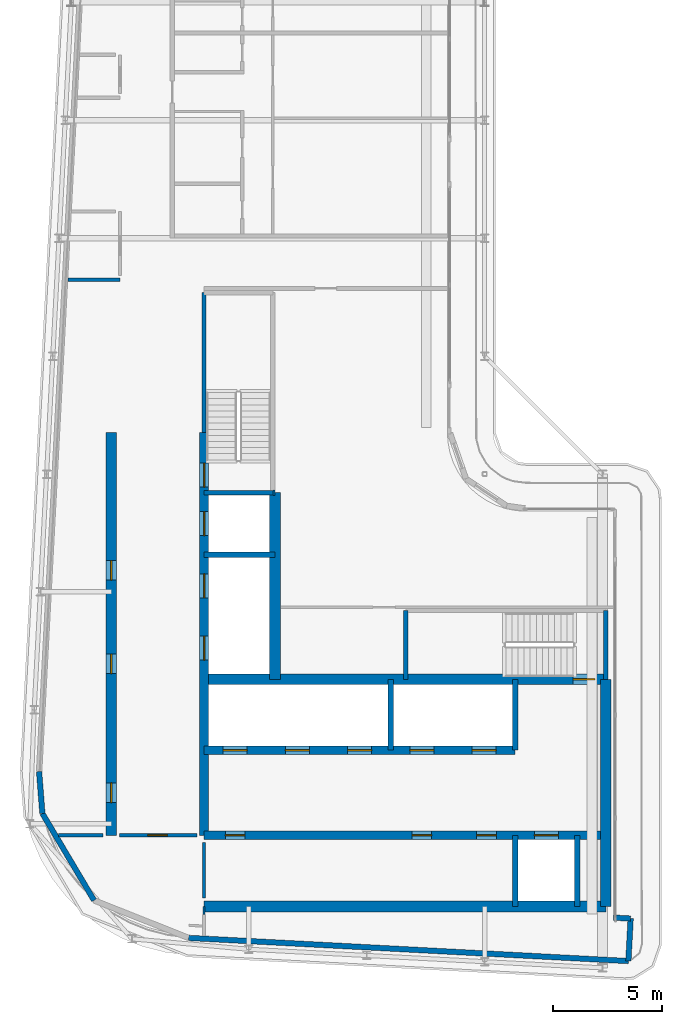
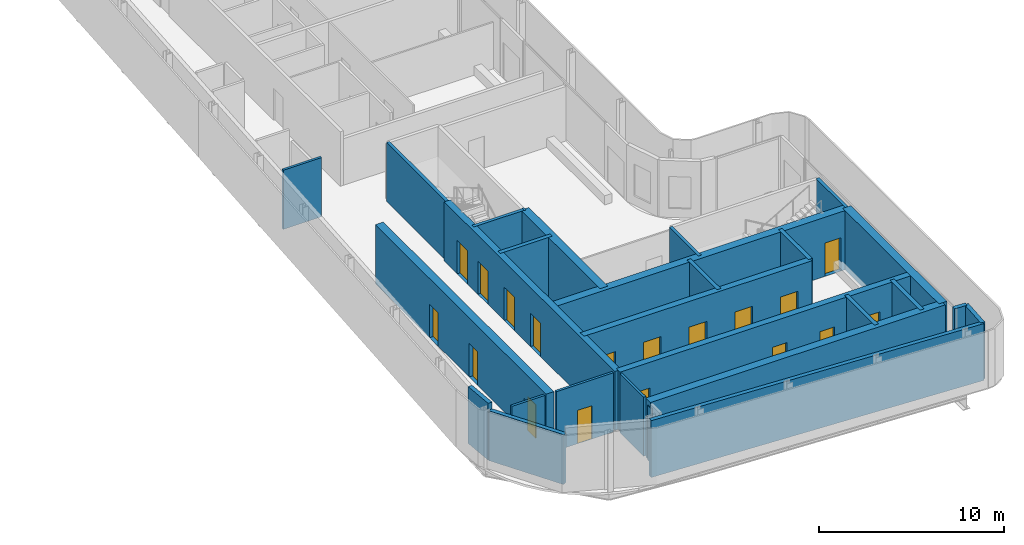
# One storey, part 9 of 19: 28 walls, 18 doors, 18 openings.
"""IFC4 building model written with IfcOpenShell, lengths in metres."""

from ifc_helpers import new_model, si_unit, direction, frame, frame_2d, origin, place, context, subcontext, project, spatial, rectangle, extrude, source, transform, mapped, material, layer, layer_set, type_object, element, fill, save


model = new_model("IFC4")

# Units and contexts
model_context = context("Model", 3, precision=1e-05, world=origin(), true_north=direction((0.0, 1.0)))
body_context = subcontext(model_context, "Body", "Model", "MODEL_VIEW")
ifc_project = project(units=[si_unit("LENGTHUNIT", "METRE"), si_unit("AREAUNIT", "SQUARE_METRE"), si_unit("VOLUMEUNIT", "CUBIC_METRE"), si_unit("PLANEANGLEUNIT", "RADIAN"), si_unit("MASSUNIT", "GRAM", prefix="KILO")], contexts=[model_context])

# Site, building, storey
site_placement = place(None, origin())
site = spatial("IfcSite", under=ifc_project, at=site_placement, CompositionType="ELEMENT")
building_placement = place(site_placement, origin())
building = spatial("IfcBuilding", under=site, at=building_placement, Name="Kheshtan School and Residences Tower", CompositionType="ELEMENT")
storey_placement = place(building_placement, frame((0.0, 0.0, 357.800048828125)))
storey = spatial("IfcBuildingStorey", under=building, at=storey_placement, Name="L84", CompositionType="ELEMENT", Elevation=357.800048828125)

# Wall, openings, doors
ifc_material_1 = material(Name="Concrete C50/60", Category="concrete")
ifc_layer_1 = layer(ifc_material_1, 0.39990234375)
ifc_layer_set_1 = layer_set([ifc_layer_1], Name="Core wall 400 Concrete C50/60")
wall_type_1 = type_object("IfcWallType", Name="Core wall 400 Concrete C50/60", PredefinedType="SHEAR", material=ifc_layer_set_1)
wall_1_placement = place(storey_placement, frame((34.75, 29.050048828125, 0.0), z_axis=(0.0, 0.0, 1.0), x_axis=(1.0, 0.0, 0.0)))
wall_1 = element("IfcWall", 1, at=wall_1_placement, inside=storey, type_object=wall_type_1, Name="Core wall CW-HALL-S1", PredefinedType="SHEAR", context=body_context, shape_type="SweptSolid", body=[
    extrude(rectangle(XDim=18.39990234375, YDim=0.39990234375, at=frame_2d((9.199951171875, 0.0))), origin(), (0.0, 0.0, 1.0), 3.89990234375),
])
opening_1_placement = place(wall_1_placement, frame((15.125, 0.0, 0.0)))
opening_1 = element("IfcOpeningElement", 2, at=opening_1_placement, cuts=wall_1, Name="Opening LD", PredefinedType="OPENING", context=body_context, shape_type="SweptSolid", body=[
    extrude(rectangle(XDim=1.10009765625, YDim=2.199951171875, at=frame_2d((0.550048828125, 1.10009765625))), frame((0.0, 0.2099609375, 0.0), z_axis=(0.0, -1.0, 0.0), x_axis=(1.0, 0.0, 0.0)), (0.0, 0.0, 1.0), 0.419921875),
])
opening_2_placement = place(wall_1_placement, frame((0.97509765625, 0.0, 0.0)))
opening_2 = element("IfcOpeningElement", 3, at=opening_2_placement, cuts=wall_1, Name="Opening SR90", PredefinedType="OPENING", context=body_context, shape_type="SweptSolid", body=[
    extrude(rectangle(XDim=0.89990234375, YDim=2.199951171875, at=frame_2d((0.449951171875, 1.10009765625))), frame((0.0, 0.2099609375, 0.0), z_axis=(0.0, -1.0, 0.0), x_axis=(1.0, 0.0, 0.0)), (0.0, 0.0, 1.0), 0.419921875),
])
opening_3_placement = place(wall_1_placement, frame((9.52490234375, 0.0, 0.0)))
opening_3 = element("IfcOpeningElement", 4, at=opening_3_placement, cuts=wall_1, Name="Opening SR90", PredefinedType="OPENING", context=body_context, shape_type="SweptSolid", body=[
    extrude(rectangle(XDim=0.89990234375, YDim=2.199951171875, at=frame_2d((0.449951171875, 1.10009765625))), frame((0.0, 0.2099609375, 0.0), z_axis=(0.0, -1.0, 0.0), x_axis=(1.0, 0.0, 0.0)), (0.0, 0.0, 1.0), 0.419921875),
])
opening_4_placement = place(wall_1_placement, frame((12.488037109375, 0.0, 0.0)))
opening_4 = element("IfcOpeningElement", 5, at=opening_4_placement, cuts=wall_1, Name="Opening SR90", PredefinedType="OPENING", context=body_context, shape_type="SweptSolid", body=[
    extrude(rectangle(XDim=0.89990234375, YDim=2.199951171875, at=frame_2d((0.449951171875, 1.10009765625))), frame((0.0, 0.2099609375, 0.0), z_axis=(0.0, -1.0, 0.0), x_axis=(1.0, 0.0, 0.0)), (0.0, 0.0, 1.0), 0.419921875),
])
ifc_material_2 = material(Name="Stainless steel door leaves", Category="steel")
door_type_1 = type_object("IfcDoorType", Name="Lift landing door 1100", OperationType="SLIDING_TO_LEFT", PredefinedType="DOOR", material=ifc_material_2)
shared_shape_1 = source(origin(), body_context, "Body", "SweptSolid", [
    extrude(rectangle(XDim=1.10009765625, YDim=2.199951171875, at=frame_2d((0.550048828125, 1.10009765625))), frame((0.0, 0.02490234375, 0.0), z_axis=(0.0, -1.0, 0.0), x_axis=(1.0, 0.0, 0.0)), (0.0, 0.0, 1.0), 0.050048828125),
])
door_1_placement = place(opening_1_placement, origin())
door_1 = element("IfcDoor", 6, at=door_1_placement, inside=storey, type_object=door_type_1, Name="Lift FFL2 landing door", OperationType="SLIDING_TO_LEFT", OverallHeight=2.199951171875, OverallWidth=1.10009765625, PredefinedType="DOOR", context=body_context, shape_type="MappedRepresentation", body=[
    mapped(shared_shape_1, transform((0.0, 0.0, 0.0), x_axis=(1.0, 0.0, 0.0), y_axis=(0.0, 1.0, 0.0), z_axis=(0.0, 0.0, 1.0), scale=1.0)),
])
fill(opening_1, door_1)
ifc_material_3 = material(Name="Steel door leaf, galvanised", Category="steel")
door_type_2 = type_object("IfcDoorType", Name="Service room door 900 steel 90 min", OperationType="SINGLE_SWING_LEFT", PredefinedType="DOOR", material=ifc_material_3)
shared_shape_2 = source(origin(), body_context, "Body", "SweptSolid", [
    extrude(rectangle(XDim=0.89990234375, YDim=2.199951171875, at=frame_2d((0.449951171875, 1.10009765625))), frame((0.0, 0.02490234375, 0.0), z_axis=(0.0, -1.0, 0.0), x_axis=(1.0, 0.0, 0.0)), (0.0, 0.0, 1.0), 0.050048828125),
])
door_2_placement = place(opening_2_placement, origin())
door_2 = element("IfcDoor", 7, at=door_2_placement, inside=storey, type_object=door_type_2, Name="Service room door", OperationType="SINGLE_SWING_LEFT", OverallHeight=2.199951171875, OverallWidth=0.89990234375, PredefinedType="DOOR", context=body_context, shape_type="MappedRepresentation", body=[
    mapped(shared_shape_2, transform((0.0, 0.0, 0.0), x_axis=(1.0, 0.0, 0.0), y_axis=(0.0, 1.0, 0.0), z_axis=(0.0, 0.0, 1.0), scale=1.0)),
])
fill(opening_2, door_2)
door_3_placement = place(opening_3_placement, origin())
door_3 = element("IfcDoor", 8, at=door_3_placement, inside=storey, type_object=door_type_2, Name="Service room door", OperationType="SINGLE_SWING_RIGHT", OverallHeight=2.199951171875, OverallWidth=0.89990234375, PredefinedType="DOOR", context=body_context, shape_type="MappedRepresentation", body=[
    mapped(shared_shape_2, transform((0.0, 0.0, 0.0), x_axis=(1.0, 0.0, 0.0), y_axis=(0.0, 1.0, 0.0), z_axis=(0.0, 0.0, 1.0), scale=1.0)),
])
fill(opening_3, door_3)
door_4_placement = place(opening_4_placement, origin())
door_4 = element("IfcDoor", 9, at=door_4_placement, inside=storey, type_object=door_type_2, Name="Service room door", OperationType="SINGLE_SWING_LEFT", OverallHeight=2.199951171875, OverallWidth=0.89990234375, PredefinedType="DOOR", context=body_context, shape_type="MappedRepresentation", body=[
    mapped(shared_shape_2, transform((0.0, 0.0, 0.0), x_axis=(1.0, 0.0, 0.0), y_axis=(0.0, 1.0, 0.0), z_axis=(0.0, 0.0, 1.0), scale=1.0)),
])
fill(opening_4, door_4)

wall_2_placement = place(storey_placement, frame((34.75, 32.949951171875, 0.0), z_axis=(0.0, 0.0, 1.0), x_axis=(1.0, 0.0, 0.0)))
wall_2 = element("IfcWall", 10, at=wall_2_placement, inside=storey, type_object=wall_type_1, Name="Core wall CW-HALL-S2", PredefinedType="SHEAR", context=body_context, shape_type="SweptSolid", body=[
    extrude(rectangle(XDim=14.25, YDim=0.39990234375, at=frame_2d((7.125, 0.0))), origin(), (0.0, 0.0, 1.0), 3.89990234375),
])
opening_5_placement = place(wall_2_placement, frame((0.875, 0.0, 0.0)))
opening_5 = element("IfcOpeningElement", 11, at=opening_5_placement, cuts=wall_2, Name="Opening LD", PredefinedType="OPENING", context=body_context, shape_type="SweptSolid", body=[
    extrude(rectangle(XDim=1.10009765625, YDim=2.199951171875, at=frame_2d((0.550048828125, 1.10009765625))), frame((0.0, 0.2099609375, 0.0), z_axis=(0.0, -1.0, 0.0), x_axis=(1.0, 0.0, 0.0)), (0.0, 0.0, 1.0), 0.419921875),
])
opening_6_placement = place(wall_2_placement, frame((3.72509765625, 0.0, 0.0)))
opening_6 = element("IfcOpeningElement", 12, at=opening_6_placement, cuts=wall_2, Name="Opening LD", PredefinedType="OPENING", context=body_context, shape_type="SweptSolid", body=[
    extrude(rectangle(XDim=1.10009765625, YDim=2.199951171875, at=frame_2d((0.550048828125, 1.10009765625))), frame((0.0, 0.2099609375, 0.0), z_axis=(0.0, -1.0, 0.0), x_axis=(1.0, 0.0, 0.0)), (0.0, 0.0, 1.0), 0.419921875),
])
opening_7_placement = place(wall_2_placement, frame((6.574951171875, 0.0, 0.0)))
opening_7 = element("IfcOpeningElement", 13, at=opening_7_placement, cuts=wall_2, Name="Opening LD", PredefinedType="OPENING", context=body_context, shape_type="SweptSolid", body=[
    extrude(rectangle(XDim=1.10009765625, YDim=2.199951171875, at=frame_2d((0.550048828125, 1.10009765625))), frame((0.0, 0.2099609375, 0.0), z_axis=(0.0, -1.0, 0.0), x_axis=(1.0, 0.0, 0.0)), (0.0, 0.0, 1.0), 0.419921875),
])
opening_8_placement = place(wall_2_placement, frame((9.425048828125, 0.0, 0.0)))
opening_8 = element("IfcOpeningElement", 14, at=opening_8_placement, cuts=wall_2, Name="Opening LD", PredefinedType="OPENING", context=body_context, shape_type="SweptSolid", body=[
    extrude(rectangle(XDim=1.10009765625, YDim=2.199951171875, at=frame_2d((0.550048828125, 1.10009765625))), frame((0.0, 0.2099609375, 0.0), z_axis=(0.0, -1.0, 0.0), x_axis=(1.0, 0.0, 0.0)), (0.0, 0.0, 1.0), 0.419921875),
])
opening_9_placement = place(wall_2_placement, frame((12.27490234375, 0.0, 0.0)))
opening_9 = element("IfcOpeningElement", 15, at=opening_9_placement, cuts=wall_2, Name="Opening LD", PredefinedType="OPENING", context=body_context, shape_type="SweptSolid", body=[
    extrude(rectangle(XDim=1.10009765625, YDim=2.199951171875, at=frame_2d((0.550048828125, 1.10009765625))), frame((0.0, 0.2099609375, 0.0), z_axis=(0.0, -1.0, 0.0), x_axis=(1.0, 0.0, 0.0)), (0.0, 0.0, 1.0), 0.419921875),
])
door_5_placement = place(opening_5_placement, origin())
door_5 = element("IfcDoor", 16, at=door_5_placement, inside=storey, type_object=door_type_1, Name="Lift P12 landing door", OperationType="SLIDING_TO_LEFT", OverallHeight=2.199951171875, OverallWidth=1.10009765625, PredefinedType="DOOR", context=body_context, shape_type="MappedRepresentation", body=[
    mapped(shared_shape_1, transform((0.0, 0.0, 0.0), x_axis=(1.0, 0.0, 0.0), y_axis=(0.0, 1.0, 0.0), z_axis=(0.0, 0.0, 1.0), scale=1.0)),
])
fill(opening_5, door_5)
door_6_placement = place(opening_6_placement, origin())
door_6 = element("IfcDoor", 17, at=door_6_placement, inside=storey, type_object=door_type_1, Name="Lift P13 landing door", OperationType="SLIDING_TO_LEFT", OverallHeight=2.199951171875, OverallWidth=1.10009765625, PredefinedType="DOOR", context=body_context, shape_type="MappedRepresentation", body=[
    mapped(shared_shape_1, transform((0.0, 0.0, 0.0), x_axis=(1.0, 0.0, 0.0), y_axis=(0.0, 1.0, 0.0), z_axis=(0.0, 0.0, 1.0), scale=1.0)),
])
fill(opening_6, door_6)
door_7_placement = place(opening_7_placement, origin())
door_7 = element("IfcDoor", 18, at=door_7_placement, inside=storey, type_object=door_type_1, Name="Lift P14 landing door", OperationType="SLIDING_TO_LEFT", OverallHeight=2.199951171875, OverallWidth=1.10009765625, PredefinedType="DOOR", context=body_context, shape_type="MappedRepresentation", body=[
    mapped(shared_shape_1, transform((0.0, 0.0, 0.0), x_axis=(1.0, 0.0, 0.0), y_axis=(0.0, 1.0, 0.0), z_axis=(0.0, 0.0, 1.0), scale=1.0)),
])
fill(opening_7, door_7)
door_8_placement = place(opening_8_placement, origin())
door_8 = element("IfcDoor", 19, at=door_8_placement, inside=storey, type_object=door_type_1, Name="Lift P15 landing door", OperationType="SLIDING_TO_LEFT", OverallHeight=2.199951171875, OverallWidth=1.10009765625, PredefinedType="DOOR", context=body_context, shape_type="MappedRepresentation", body=[
    mapped(shared_shape_1, transform((0.0, 0.0, 0.0), x_axis=(1.0, 0.0, 0.0), y_axis=(0.0, 1.0, 0.0), z_axis=(0.0, 0.0, 1.0), scale=1.0)),
])
fill(opening_8, door_8)
door_9_placement = place(opening_9_placement, origin())
door_9 = element("IfcDoor", 20, at=door_9_placement, inside=storey, type_object=door_type_1, Name="Lift P16 landing door", OperationType="SLIDING_TO_LEFT", OverallHeight=2.199951171875, OverallWidth=1.10009765625, PredefinedType="DOOR", context=body_context, shape_type="MappedRepresentation", body=[
    mapped(shared_shape_1, transform((0.0, 0.0, 0.0), x_axis=(1.0, 0.0, 0.0), y_axis=(0.0, 1.0, 0.0), z_axis=(0.0, 0.0, 1.0), scale=1.0)),
])
fill(opening_9, door_9)

wall_3_placement = place(storey_placement, frame((34.75, 29.050048828125, 0.0), z_axis=(0.0, 0.0, 1.0), x_axis=(0.0, 1.0, 0.0)))
wall_3 = element("IfcWall", 21, at=wall_3_placement, inside=storey, type_object=wall_type_1, Name="Core wall CW-HALL-W1", PredefinedType="SHEAR", context=body_context, shape_type="SweptSolid", body=[
    extrude(rectangle(XDim=18.449951171875, YDim=0.39990234375, at=frame_2d((9.22509765625, 0.0))), origin(), (0.0, 0.0, 1.0), 3.89990234375),
])
opening_10_placement = place(wall_3_placement, frame((8.02490234375, 0.0, 0.0)))
opening_10 = element("IfcOpeningElement", 22, at=opening_10_placement, cuts=wall_3, Name="Opening LD", PredefinedType="OPENING", context=body_context, shape_type="SweptSolid", body=[
    extrude(rectangle(XDim=1.10009765625, YDim=2.199951171875, at=frame_2d((0.550048828125, 1.10009765625))), frame((0.0, 0.2099609375, 0.0), z_axis=(0.0, -1.0, 0.0), x_axis=(1.0, 0.0, 0.0)), (0.0, 0.0, 1.0), 0.419921875),
])
opening_11_placement = place(wall_3_placement, frame((10.875, 0.0, 0.0)))
opening_11 = element("IfcOpeningElement", 23, at=opening_11_placement, cuts=wall_3, Name="Opening LD", PredefinedType="OPENING", context=body_context, shape_type="SweptSolid", body=[
    extrude(rectangle(XDim=1.10009765625, YDim=2.199951171875, at=frame_2d((0.550048828125, 1.10009765625))), frame((0.0, 0.2099609375, 0.0), z_axis=(0.0, -1.0, 0.0), x_axis=(1.0, 0.0, 0.0)), (0.0, 0.0, 1.0), 0.419921875),
])
opening_12_placement = place(wall_3_placement, frame((13.72509765625, 0.0, 0.0)))
opening_12 = element("IfcOpeningElement", 24, at=opening_12_placement, cuts=wall_3, Name="Opening LD", PredefinedType="OPENING", context=body_context, shape_type="SweptSolid", body=[
    extrude(rectangle(XDim=1.10009765625, YDim=2.199951171875, at=frame_2d((0.550048828125, 1.10009765625))), frame((0.0, 0.2099609375, 0.0), z_axis=(0.0, -1.0, 0.0), x_axis=(1.0, 0.0, 0.0)), (0.0, 0.0, 1.0), 0.419921875),
])
opening_13_placement = place(wall_3_placement, frame((15.949951171875, 0.0, 0.0)))
opening_13 = element("IfcOpeningElement", 25, at=opening_13_placement, cuts=wall_3, Name="Opening ST2D", PredefinedType="OPENING", context=body_context, shape_type="SweptSolid", body=[
    extrude(rectangle(XDim=1.10009765625, YDim=2.199951171875, at=frame_2d((0.550048828125, 1.10009765625))), frame((0.0, 0.2099609375, 0.0), z_axis=(0.0, -1.0, 0.0), x_axis=(1.0, 0.0, 0.0)), (0.0, 0.0, 1.0), 0.419921875),
])
door_10_placement = place(opening_10_placement, origin())
door_10 = element("IfcDoor", 26, at=door_10_placement, inside=storey, type_object=door_type_1, Name="Lift SV1 landing door", OperationType="SLIDING_TO_LEFT", OverallHeight=2.199951171875, OverallWidth=1.10009765625, PredefinedType="DOOR", context=body_context, shape_type="MappedRepresentation", body=[
    mapped(shared_shape_1, transform((0.0, 0.0, 0.0), x_axis=(1.0, 0.0, 0.0), y_axis=(0.0, 1.0, 0.0), z_axis=(0.0, 0.0, 1.0), scale=1.0)),
])
fill(opening_10, door_10)
door_11_placement = place(opening_11_placement, origin())
door_11 = element("IfcDoor", 27, at=door_11_placement, inside=storey, type_object=door_type_1, Name="Lift SV2 landing door", OperationType="SLIDING_TO_LEFT", OverallHeight=2.199951171875, OverallWidth=1.10009765625, PredefinedType="DOOR", context=body_context, shape_type="MappedRepresentation", body=[
    mapped(shared_shape_1, transform((0.0, 0.0, 0.0), x_axis=(1.0, 0.0, 0.0), y_axis=(0.0, 1.0, 0.0), z_axis=(0.0, 0.0, 1.0), scale=1.0)),
])
fill(opening_11, door_11)
door_12_placement = place(opening_12_placement, origin())
door_12 = element("IfcDoor", 28, at=door_12_placement, inside=storey, type_object=door_type_1, Name="Lift FFL1 landing door", OperationType="SLIDING_TO_LEFT", OverallHeight=2.199951171875, OverallWidth=1.10009765625, PredefinedType="DOOR", context=body_context, shape_type="MappedRepresentation", body=[
    mapped(shared_shape_1, transform((0.0, 0.0, 0.0), x_axis=(1.0, 0.0, 0.0), y_axis=(0.0, 1.0, 0.0), z_axis=(0.0, 0.0, 1.0), scale=1.0)),
])
fill(opening_12, door_12)
door_type_3 = type_object("IfcDoorType", Name="Stair door 1100 steel 90 min", OperationType="SINGLE_SWING_LEFT", PredefinedType="DOOR", material=ifc_material_3)
shared_shape_3 = source(origin(), body_context, "Body", "SweptSolid", [
    extrude(rectangle(XDim=1.10009765625, YDim=2.199951171875, at=frame_2d((0.550048828125, 1.10009765625))), frame((0.0, 0.02490234375, 0.0), z_axis=(0.0, -1.0, 0.0), x_axis=(1.0, 0.0, 0.0)), (0.0, 0.0, 1.0), 0.050048828125),
])
door_13_placement = place(opening_13_placement, origin())
door_13 = element("IfcDoor", 29, at=door_13_placement, inside=storey, type_object=door_type_3, Name="Stair ST2 door", OperationType="SINGLE_SWING_RIGHT", OverallHeight=2.199951171875, OverallWidth=1.10009765625, PredefinedType="DOOR", context=body_context, shape_type="MappedRepresentation", body=[
    mapped(shared_shape_3, transform((0.0, 0.0, 0.0), x_axis=(1.0, 0.0, 0.0), y_axis=(0.0, 1.0, 0.0), z_axis=(0.0, 0.0, 1.0), scale=1.0)),
])
fill(opening_13, door_13)

# Wall
ifc_layer_2 = layer(ifc_material_1, 0.5)
ifc_layer_set_2 = layer_set([ifc_layer_2], Name="Core wall 500 Concrete C50/60")
wall_type_2 = type_object("IfcWallType", Name="Core wall 500 Concrete C50/60", PredefinedType="SHEAR", material=ifc_layer_set_2)
wall_4_placement = place(storey_placement, frame((34.75, 25.800048828125, 0.0), z_axis=(0.0, 0.0, 1.0), x_axis=(1.0, 0.0, 0.0)))
element("IfcWall", 30, at=wall_4_placement, inside=storey, type_object=wall_type_2, Name="Core wall CW-REAR-S", PredefinedType="SHEAR", context=body_context, shape_type="SweptSolid", body=[
    extrude(rectangle(XDim=18.39990234375, YDim=0.5, at=frame_2d((9.199951171875, 0.0))), origin(), (0.0, 0.0, 1.0), 3.89990234375),
])

# Wall, opening, door
wall_5_placement = place(storey_placement, frame((34.75, 36.199951171875, 0.0), z_axis=(0.0, 0.0, 1.0), x_axis=(1.0, 0.0, 0.0)))
wall_5 = element("IfcWall", 31, at=wall_5_placement, inside=storey, type_object=wall_type_2, Name="Core wall CW-FRONT-S", PredefinedType="SHEAR", context=body_context, shape_type="SweptSolid", body=[
    extrude(rectangle(XDim=18.39990234375, YDim=0.5, at=frame_2d((9.199951171875, 0.0))), origin(), (0.0, 0.0, 1.0), 3.89990234375),
])
opening_14_placement = place(wall_5_placement, frame((16.89990234375, 0.0, 0.0)))
opening_14 = element("IfcOpeningElement", 32, at=opening_14_placement, cuts=wall_5, Name="Opening ST1D", PredefinedType="OPENING", context=body_context, shape_type="SweptSolid", body=[
    extrude(rectangle(XDim=1.0, YDim=2.199951171875, at=frame_2d((0.5, 1.10009765625))), frame((0.0, 0.260009765625, 0.0), z_axis=(0.0, -1.0, 0.0), x_axis=(1.0, 0.0, 0.0)), (0.0, 0.0, 1.0), 0.52001953125),
])
shared_shape_4 = source(origin(), body_context, "Body", "SweptSolid", [
    extrude(rectangle(XDim=1.0, YDim=2.199951171875, at=frame_2d((0.5, 1.10009765625))), frame((0.0, 0.02490234375, 0.0), z_axis=(0.0, -1.0, 0.0), x_axis=(1.0, 0.0, 0.0)), (0.0, 0.0, 1.0), 0.050048828125),
])
door_14_placement = place(opening_14_placement, origin())
door_14 = element("IfcDoor", 33, at=door_14_placement, inside=storey, type_object=door_type_3, Name="Stair ST1 door", OperationType="SINGLE_SWING_RIGHT", OverallHeight=2.199951171875, OverallWidth=1.0, PredefinedType="DOOR", context=body_context, shape_type="MappedRepresentation", body=[
    mapped(shared_shape_4, transform((0.0, 0.0, 0.0), x_axis=(1.0, 0.0, 0.0), y_axis=(0.0, 1.0, 0.0), z_axis=(0.0, 0.0, 1.0), scale=1.0)),
])
fill(opening_14, door_14)

# Wall
wall_6_placement = place(storey_placement, frame((38.0, 36.199951171875, 0.0), z_axis=(0.0, 0.0, 1.0), x_axis=(0.0, 1.0, 0.0)))
element("IfcWall", 34, at=wall_6_placement, inside=storey, type_object=wall_type_2, Name="Core wall CW-FRONT-W", PredefinedType="SHEAR", context=body_context, shape_type="SweptSolid", body=[
    extrude(rectangle(XDim=8.550048828125, YDim=0.5, at=frame_2d((4.27490234375, 0.0))), origin(), (0.0, 0.0, 1.0), 3.89990234375),
])

# Wall, openings, doors
wall_7_placement = place(storey_placement, frame((30.5, 29.050048828125, 0.0), z_axis=(0.0, 0.0, 1.0), x_axis=(0.0, 1.0, 0.0)))
wall_7 = element("IfcWall", 35, at=wall_7_placement, inside=storey, type_object=wall_type_2, Name="Core wall CW-REAR-W", PredefinedType="SHEAR", context=body_context, shape_type="SweptSolid", body=[
    extrude(rectangle(XDim=18.449951171875, YDim=0.5, at=frame_2d((9.22509765625, 0.0))), origin(), (0.0, 0.0, 1.0), 3.89990234375),
])
opening_15_placement = place(wall_7_placement, frame((1.5, 0.0, 0.0)))
opening_15 = element("IfcOpeningElement", 36, at=opening_15_placement, cuts=wall_7, Name="Opening SR90", PredefinedType="OPENING", context=body_context, shape_type="SweptSolid", body=[
    extrude(rectangle(XDim=0.89990234375, YDim=2.199951171875, at=frame_2d((0.449951171875, 1.10009765625))), frame((0.0, 0.260009765625, 0.0), z_axis=(0.0, -1.0, 0.0), x_axis=(1.0, 0.0, 0.0)), (0.0, 0.0, 1.0), 0.52001953125),
])
opening_16_placement = place(wall_7_placement, frame((7.406005859375, 0.0, 0.0)))
opening_16 = element("IfcOpeningElement", 37, at=opening_16_placement, cuts=wall_7, Name="Opening SR90", PredefinedType="OPENING", context=body_context, shape_type="SweptSolid", body=[
    extrude(rectangle(XDim=0.89990234375, YDim=2.199951171875, at=frame_2d((0.449951171875, 1.10009765625))), frame((0.0, 0.260009765625, 0.0), z_axis=(0.0, -1.0, 0.0), x_axis=(1.0, 0.0, 0.0)), (0.0, 0.0, 1.0), 0.52001953125),
])
opening_17_placement = place(wall_7_placement, frame((11.68798828125, 0.0, 0.0)))
opening_17 = element("IfcOpeningElement", 38, at=opening_17_placement, cuts=wall_7, Name="Opening SR90", PredefinedType="OPENING", context=body_context, shape_type="SweptSolid", body=[
    extrude(rectangle(XDim=0.89990234375, YDim=2.199951171875, at=frame_2d((0.449951171875, 1.10009765625))), frame((0.0, 0.260009765625, 0.0), z_axis=(0.0, -1.0, 0.0), x_axis=(1.0, 0.0, 0.0)), (0.0, 0.0, 1.0), 0.52001953125),
])
door_15_placement = place(opening_15_placement, origin())
door_15 = element("IfcDoor", 39, at=door_15_placement, inside=storey, type_object=door_type_2, Name="Service room door", OperationType="SINGLE_SWING_LEFT", OverallHeight=2.199951171875, OverallWidth=0.89990234375, PredefinedType="DOOR", context=body_context, shape_type="MappedRepresentation", body=[
    mapped(shared_shape_2, transform((0.0, 0.0, 0.0), x_axis=(1.0, 0.0, 0.0), y_axis=(0.0, 1.0, 0.0), z_axis=(0.0, 0.0, 1.0), scale=1.0)),
])
fill(opening_15, door_15)
door_16_placement = place(opening_16_placement, origin())
door_16 = element("IfcDoor", 40, at=door_16_placement, inside=storey, type_object=door_type_2, Name="Service room door", OperationType="SINGLE_SWING_RIGHT", OverallHeight=2.199951171875, OverallWidth=0.89990234375, PredefinedType="DOOR", context=body_context, shape_type="MappedRepresentation", body=[
    mapped(shared_shape_2, transform((0.0, 0.0, 0.0), x_axis=(1.0, 0.0, 0.0), y_axis=(0.0, 1.0, 0.0), z_axis=(0.0, 0.0, 1.0), scale=1.0)),
])
fill(opening_16, door_16)
door_17_placement = place(opening_17_placement, origin())
door_17 = element("IfcDoor", 41, at=door_17_placement, inside=storey, type_object=door_type_2, Name="Service room door", OperationType="SINGLE_SWING_LEFT", OverallHeight=2.199951171875, OverallWidth=0.89990234375, PredefinedType="DOOR", context=body_context, shape_type="MappedRepresentation", body=[
    mapped(shared_shape_2, transform((0.0, 0.0, 0.0), x_axis=(1.0, 0.0, 0.0), y_axis=(0.0, 1.0, 0.0), z_axis=(0.0, 0.0, 1.0), scale=1.0)),
])
fill(opening_17, door_17)

# Walls
wall_8_placement = place(storey_placement, frame((53.14990234375, 25.800048828125, 0.0), z_axis=(0.0, 0.0, 1.0), x_axis=(0.0, 1.0, 0.0)))
element("IfcWall", 42, at=wall_8_placement, inside=storey, type_object=wall_type_2, Name="Core wall CW-EAST", PredefinedType="SHEAR", context=body_context, shape_type="SweptSolid", body=[
    extrude(rectangle(XDim=10.39990234375, YDim=0.5, at=frame_2d((5.199951171875, 0.0))), origin(), (0.0, 0.0, 1.0), 3.89990234375),
])
ifc_material_4 = material(Name="Concrete C40/50 with ceramic cladding and mineral wool insulation", Category="concrete")
ifc_layer_3 = layer(ifc_material_4, 0.25)
ifc_layer_set_3 = layer_set([ifc_layer_3], Name="External wall 250 ceramic clad")
wall_type_3 = type_object("IfcWallType", Name="External wall 250 ceramic clad", PredefinedType="SOLIDWALL", material=ifc_layer_set_3)
wall_9_placement = place(storey_placement, frame((53.507080078125, 25.281005859375, 0.0), z_axis=(0.0, 0.0, 1.0), x_axis=(0.998561284263, -0.053622398031, 0.0)))
element("IfcWall", 43, at=wall_9_placement, inside=storey, type_object=wall_type_3, Name="External wall L84 10", PredefinedType="SOLIDWALL", context=body_context, shape_type="SweptSolid", body=[
    extrude(rectangle(XDim=0.783203125, YDim=0.25, at=frame_2d((0.3916015625, 0.0))), origin(), (0.0, 0.0, 1.0), 3.75),
])
wall_10_placement = place(storey_placement, frame((54.2890625, 25.239013671875, 0.0), z_axis=(0.0, 0.0, 1.0), x_axis=(-0.052841433274, -0.998602915542, 0.0)))
element("IfcWall", 44, at=wall_10_placement, inside=storey, type_object=wall_type_3, Name="External wall L84 11", PredefinedType="SOLIDWALL", context=body_context, shape_type="SweptSolid", body=[
    extrude(rectangle(XDim=1.94970703125, YDim=0.25, at=frame_2d((0.974853515625, 0.0))), origin(), (0.0, 0.0, 1.0), 3.75),
])
wall_11_placement = place(storey_placement, frame((54.18603515625, 23.2919921875, 0.0), z_axis=(0.0, 0.0, 1.0), x_axis=(-0.998616090491, 0.052591860707, 0.0)))
element("IfcWall", 45, at=wall_11_placement, inside=storey, type_object=wall_type_3, Name="External wall L84 12", PredefinedType="SOLIDWALL", context=body_context, shape_type="SweptSolid", body=[
    extrude(rectangle(XDim=20.1748046875, YDim=0.25, at=frame_2d((10.08740234375, 0.0))), origin(), (0.0, 0.0, 1.0), 3.75),
])
wall_12_placement = place(storey_placement, frame((29.7119140625, 26.072021484375, 0.0), z_axis=(0.0, 0.0, 1.0), x_axis=(-0.511028049012, 0.859564036662, 0.0)))
element("IfcWall", 46, at=wall_12_placement, inside=storey, type_object=wall_type_3, Name="External wall L84 14", PredefinedType="SOLIDWALL", context=body_context, shape_type="SweptSolid", body=[
    extrude(rectangle(XDim=4.633544921875, YDim=0.25, at=frame_2d((2.31689453125, 0.0))), origin(), (0.0, 0.0, 1.0), 3.29296875),
])
wall_13_placement = place(storey_placement, frame((27.343994140625, 30.054931640625, 0.0), z_axis=(0.0, 0.0, 1.0), x_axis=(-0.077571675317, 0.99698677784, 0.0)))
element("IfcWall", 47, at=wall_13_placement, inside=storey, type_object=wall_type_3, Name="External wall L84 15", PredefinedType="SOLIDWALL", context=body_context, shape_type="SweptSolid", body=[
    extrude(rectangle(XDim=1.919921875, YDim=0.25, at=frame_2d((0.9599609375, 0.0))), origin(), (0.0, 0.0, 1.0), 3.75),
])
ifc_material_5 = material(Name="Gypsum board on steel studs", Category="steel")
ifc_layer_4 = layer(ifc_material_5, 0.10009765625)
ifc_layer_set_4 = layer_set([ifc_layer_4], Name="Gypsum partition 100")
wall_type_4 = type_object("IfcWallType", Name="Gypsum partition 100", PredefinedType="PARTITIONING", material=ifc_layer_set_4)
wall_14_placement = place(storey_placement, frame((34.75, 25.428955078125, 0.0), z_axis=(0.0, 0.0, 1.0), x_axis=(0.0, 1.0, 0.0)))
element("IfcWall", 48, at=wall_14_placement, inside=storey, type_object=wall_type_4, Name="Partition L84-017", PredefinedType="PARTITIONING", context=body_context, shape_type="SweptSolid", body=[
    extrude(rectangle(XDim=0.37109375, YDim=0.10009765625, at=frame_2d((0.185546875, 0.0))), origin(), (0.0, 0.0, 1.0), 3.599853515625),
])
ifc_material_6 = material(Name="Fire-board shaft wall system")
ifc_layer_5 = layer(ifc_material_6, 0.14990234375)
ifc_layer_set_5 = layer_set([ifc_layer_5], Name="Service room wall 150")
wall_type_5 = type_object("IfcWallType", Name="Service room wall 150", PredefinedType="PARTITIONING", material=ifc_layer_set_5)
wall_15_placement = place(storey_placement, frame((34.75, 26.169921875, 0.0), z_axis=(0.0, 0.0, 1.0), x_axis=(0.0, 1.0, 0.0)))
element("IfcWall", 49, at=wall_15_placement, inside=storey, type_object=wall_type_5, Name="Service room wall", PredefinedType="PARTITIONING", context=body_context, shape_type="SweptSolid", body=[
    extrude(rectangle(XDim=2.56005859375, YDim=0.14990234375, at=frame_2d((1.280029296875, 0.0))), origin(), (0.0, 0.0, 1.0), 3.89990234375),
])
wall_16_placement = place(storey_placement, frame((28.089111328125, 29.050048828125, 0.0), z_axis=(0.0, 0.0, 1.0), x_axis=(1.0, 0.0, 0.0)))
element("IfcWall", 50, at=wall_16_placement, inside=storey, type_object=wall_type_5, Name="Service room wall", PredefinedType="PARTITIONING", context=body_context, shape_type="SweptSolid", body=[
    extrude(rectangle(XDim=2.040771484375, YDim=0.14990234375, at=frame_2d((1.0205078125, 0.0))), origin(), (0.0, 0.0, 1.0), 3.89990234375),
])

# Wall, opening, door
wall_17_placement = place(storey_placement, frame((30.8701171875, 29.050048828125, 0.0), z_axis=(0.0, 0.0, 1.0), x_axis=(1.0, 0.0, 0.0)))
wall_17 = element("IfcWall", 51, at=wall_17_placement, inside=storey, type_object=wall_type_5, Name="Service room wall", PredefinedType="PARTITIONING", context=body_context, shape_type="SweptSolid", body=[
    extrude(rectangle(XDim=3.559814453125, YDim=0.14990234375, at=frame_2d((1.77978515625, 0.0))), origin(), (0.0, 0.0, 1.0), 3.89990234375),
])
opening_18_placement = place(wall_17_placement, frame((1.304931640625, 0.0, 0.0)))
opening_18 = element("IfcOpeningElement", 52, at=opening_18_placement, cuts=wall_17, Name="Opening SR90", PredefinedType="OPENING", context=body_context, shape_type="SweptSolid", body=[
    extrude(rectangle(XDim=0.89990234375, YDim=2.199951171875, at=frame_2d((0.449951171875, 1.10009765625))), frame((0.0, 0.0849609375, 0.0), z_axis=(0.0, -1.0, 0.0), x_axis=(1.0, 0.0, 0.0)), (0.0, 0.0, 1.0), 0.169921875),
])
door_18_placement = place(opening_18_placement, origin())
door_18 = element("IfcDoor", 53, at=door_18_placement, inside=storey, type_object=door_type_2, Name="Service room door", OperationType="SINGLE_SWING_RIGHT", OverallHeight=2.199951171875, OverallWidth=0.89990234375, PredefinedType="DOOR", context=body_context, shape_type="MappedRepresentation", body=[
    mapped(shared_shape_2, transform((0.0, 0.0, 0.0), x_axis=(1.0, 0.0, 0.0), y_axis=(0.0, 1.0, 0.0), z_axis=(0.0, 0.0, 1.0), scale=1.0)),
])
fill(opening_18, door_18)

# Walls
wall_18_placement = place(storey_placement, frame((28.508056640625, 54.5, 0.0), z_axis=(0.0, 0.0, 1.0), x_axis=(1.0, 0.0, 0.0)))
element("IfcWall", 54, at=wall_18_placement, inside=storey, type_object=wall_type_5, Name="Service room wall", PredefinedType="PARTITIONING", context=body_context, shape_type="SweptSolid", body=[
    extrude(rectangle(XDim=2.391845703125, YDim=0.14990234375, at=frame_2d((1.19580078125, 0.0))), origin(), (0.0, 0.0, 1.0), 3.89990234375),
])
ifc_layer_6 = layer(ifc_material_6, 0.25)
ifc_layer_set_6 = layer_set([ifc_layer_6], Name="Shaft lining wall 250")
wall_type_6 = type_object("IfcWallType", Name="Shaft lining wall 250", PredefinedType="PARTITIONING", material=ifc_layer_set_6)
for number, where, z_axis, x_axis, name in (
    (55, (43.300048828125, 32.949951171875, 0.0), (0.0, 0.0, 1.0), (0.0, 1.0, 0.0), "Shaft lining wall"),
    (56, (49.0, 25.800048828125, 0.0), (0.0, 0.0, 1.0), (0.0, 1.0, 0.0), "Shaft lining wall"),
    (57, (49.0, 32.949951171875, 0.0), (0.0, 0.0, 1.0), (0.0, 1.0, 0.0), "Shaft lining wall"),
    (58, (51.85009765625, 25.800048828125, 0.0), (0.0, 0.0, 1.0), (0.0, 1.0, 0.0), "Shaft lining wall"),
    (59, (34.75, 41.89990234375, 0.0), (0.0, 0.0, 1.0), (1.0, 0.0, 0.0), "Shaft lining wall"),
):
    element("IfcWall", number, at=place(storey_placement, frame(where, z_axis=z_axis, x_axis=x_axis)), inside=storey, type_object=wall_type_6, Name=name, PredefinedType="PARTITIONING", context=body_context, shape_type="SweptSolid", body=[
        extrude(rectangle(XDim=3.25, YDim=0.25, at=frame_2d((1.625, 0.0))), origin(), (0.0, 0.0, 1.0), 3.89990234375),
    ])
wall_19_placement = place(storey_placement, frame((37.89990234375, 44.75, 0.0), z_axis=(0.0, 0.0, 1.0), x_axis=(1.0, 0.0, 0.0)))
element("IfcWall", 60, at=wall_19_placement, inside=storey, type_object=wall_type_6, Name="Shaft lining wall", PredefinedType="PARTITIONING", context=body_context, shape_type="SweptSolid", body=[
    extrude(rectangle(XDim=0.10009765625, YDim=0.25, at=frame_2d((0.050048828125, 0.0))), origin(), (0.0, 0.0, 1.0), 3.89990234375),
])
ifc_material_7 = material(Name="Concrete C40/50", Category="concrete")
ifc_layer_7 = layer(ifc_material_7, 0.199951171875)
ifc_layer_set_7 = layer_set([ifc_layer_7], Name="Stair enclosure wall 200 Concrete C40/50")
wall_type_7 = type_object("IfcWallType", Name="Stair enclosure wall 200 Concrete C40/50", PredefinedType="SHEAR", material=ifc_layer_set_7)
for number, where, z_axis, x_axis, name in (
    (61, (43.989990234375, 36.199951171875, 0.0), (0.0, 0.0, 1.0), (0.0, 1.0, 0.0), "Stair enclosure wall ST1"),
    (62, (53.14990234375, 36.199951171875, 0.0), (0.0, 0.0, 1.0), (0.0, 1.0, 0.0), "Stair enclosure wall ST1"),
):
    element("IfcWall", number, at=place(storey_placement, frame(where, z_axis=z_axis, x_axis=x_axis)), inside=storey, type_object=wall_type_7, Name=name, PredefinedType="SHEAR", context=body_context, shape_type="SweptSolid", body=[
        extrude(rectangle(XDim=3.150146484375, YDim=0.199951171875, at=frame_2d((1.5751953125, 0.0))), origin(), (0.0, 0.0, 1.0), 3.89990234375),
    ])
wall_20_placement = place(storey_placement, frame((34.75, 44.75, 0.0), z_axis=(0.0, 0.0, 1.0), x_axis=(1.0, 0.0, 0.0)))
element("IfcWall", 63, at=wall_20_placement, inside=storey, type_object=wall_type_7, Name="Stair enclosure wall ST2", PredefinedType="SHEAR", context=body_context, shape_type="SweptSolid", body=[
    extrude(rectangle(XDim=3.14990234375, YDim=0.199951171875, at=frame_2d((1.574951171875, 0.0))), origin(), (0.0, 0.0, 1.0), 3.89990234375),
])
wall_21_placement = place(storey_placement, frame((34.75, 47.5, 0.0), z_axis=(0.0, 0.0, 1.0), x_axis=(0.0, 1.0, 0.0)))
element("IfcWall", 64, at=wall_21_placement, inside=storey, type_object=wall_type_7, Name="Stair enclosure wall ST2", PredefinedType="SHEAR", context=body_context, shape_type="SweptSolid", body=[
    extrude(rectangle(XDim=6.409912109375, YDim=0.199951171875, at=frame_2d((3.205078125, 0.0))), origin(), (0.0, 0.0, 1.0), 3.89990234375),
])

save(model, "model.ifc")
